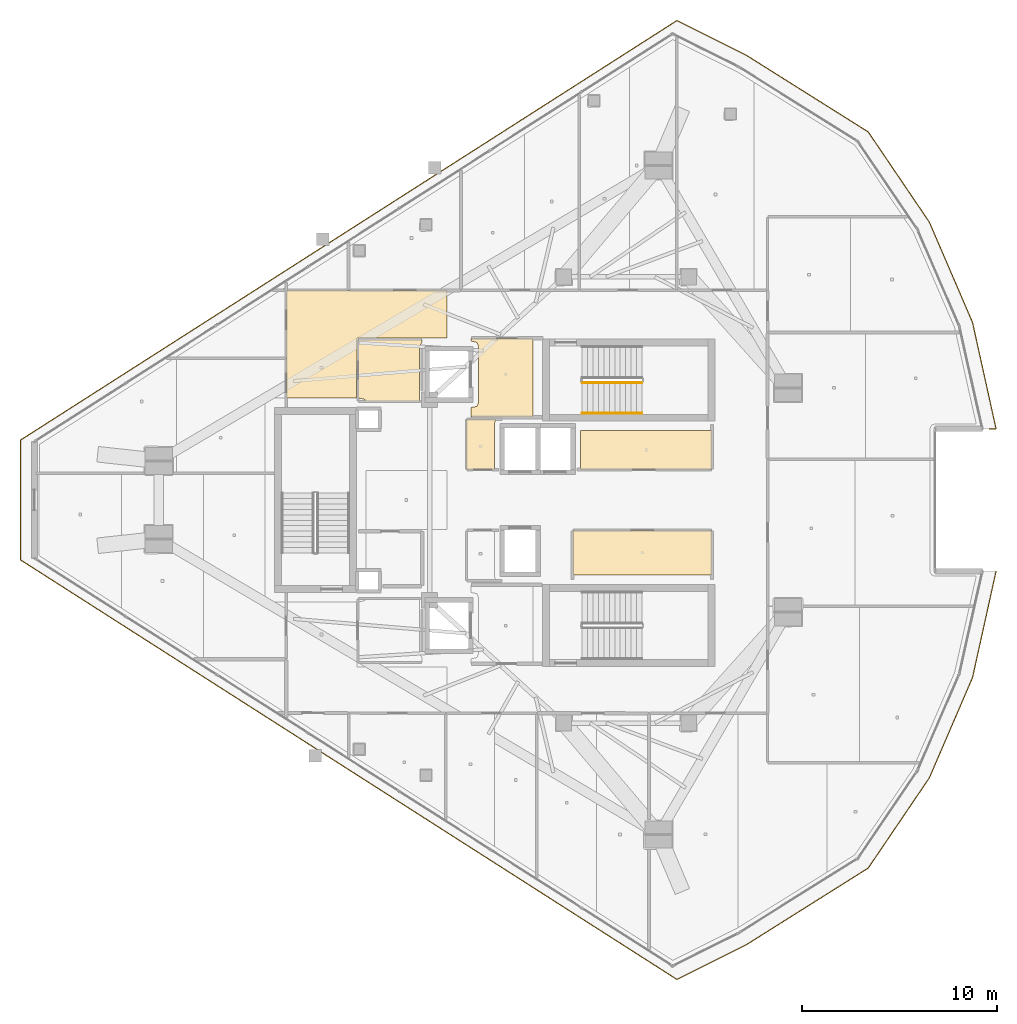
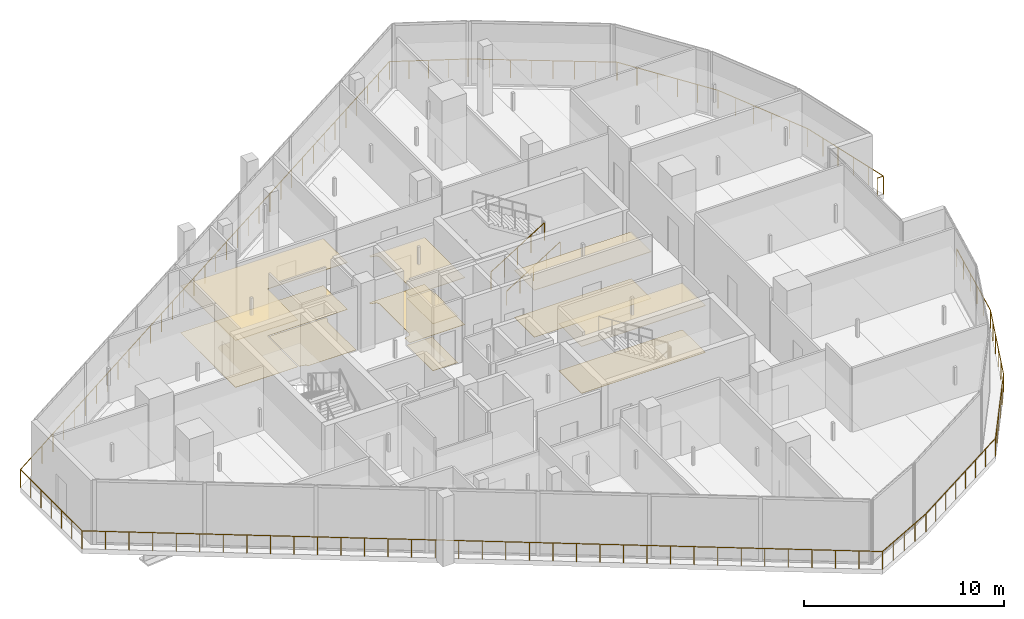
# One storey, part 27 of 29: 11 coverings, 3 railings.
"""IFC4 building model written with IfcOpenShell, lengths in metres."""

import ifcopenshell
import ifcopenshell.guid

model = None  # the IFC model being written
_history = None  # IfcOwnerHistory: only IFC2X3 demands one
_inside = {}  # id of a spatial element -> (the spatial element, [elements in it])
_under = {}  # id of a project, library or spatial element -> (it, [spatial elements below it])
_declared = {}  # id of a project -> (the project, [libraries it declares])
_typed = {}  # id of a type object -> (the type object, [elements of that type])
_made_of = {}  # id of a material, layer set ... -> (it, [elements and type objects made of it])


def new_model(schema):
    """Start an empty IFC model of exactly this schema.

    Asked for "IFC4X3", IfcOpenShell would pick the latest addendum, in which some entities
    have other attributes; the version numbers below select the first issue.
    IFC2X3 requires an IfcOwnerHistory on every rooted entity: one is made here for all.
    """
    global model, _history
    if schema == "IFC4X3":
        model = ifcopenshell.file(schema_version=(4, 3, 0, 0))
    else:
        model = ifcopenshell.file(schema=schema)
    _inside.clear()
    _under.clear()
    _declared.clear()
    _typed.clear()
    _made_of.clear()
    _history = None
    if model.schema == "IFC2X3":
        org = make("IfcOrganization", Name="unknown")
        user = make(
            "IfcPersonAndOrganization",
            ThePerson=make("IfcPerson", FamilyName="unknown"),
            TheOrganization=org,
        )
        app = make(
            "IfcApplication",
            ApplicationDeveloper=org,
            Version="unknown",
            ApplicationFullName="unknown",
            ApplicationIdentifier="unknown",
        )
        _history = make(
            "IfcOwnerHistory",
            OwningUser=user,
            OwningApplication=app,
            ChangeAction="ADDED",
            CreationDate=0,
        )
    return model


def make(cls, **values):
    """One entity of the class cls with the attributes given. An attribute that is None is left unset."""
    return model.create_entity(
        cls, **{name: value for name, value in values.items() if value is not None}
    )


def rooted(cls, **values):
    """An entity with a GlobalId (a new one), such as an element, a storey or a relation."""
    return make(cls, GlobalId=ifcopenshell.guid.new(), OwnerHistory=_history, **values)


def si_unit(unit_type, name, prefix=None):
    """IfcSIUnit, for example si_unit("LENGTHUNIT", "METRE", prefix="MILLI")."""
    return make("IfcSIUnit", UnitType=unit_type, Prefix=prefix, Name=name)


def assignment(units):
    """IfcUnitAssignment: the units of a project."""
    return None if units is None else make("IfcUnitAssignment", Units=units)


def point(xyz):
    """IfcCartesianPoint."""
    return None if xyz is None else make("IfcCartesianPoint", Coordinates=xyz)


def direction(xyz):
    """IfcDirection."""
    return None if xyz is None else make("IfcDirection", DirectionRatios=xyz)


def frame(location, z_axis=None, x_axis=None):
    """IfcAxis2Placement3D, a coordinate frame: its origin and axes. An axis left out is left unset."""
    return make(
        "IfcAxis2Placement3D",
        Location=point(location),
        Axis=direction(z_axis),
        RefDirection=direction(x_axis),
    )


def frame_2d(location, x_axis=None):
    """IfcAxis2Placement2D, a coordinate frame in the plane: its origin and x axis."""
    return make(
        "IfcAxis2Placement2D", Location=point(location), RefDirection=direction(x_axis)
    )


def origin():
    """The frame at (0, 0, 0) with its axes left unset."""
    return frame((0.0, 0.0, 0.0))


def origin_2d():
    """The frame at (0, 0) in the plane with its x axis left unset."""
    return frame_2d((0.0, 0.0))


def place(relative_to, where):
    """IfcLocalPlacement: puts the frame where relative to a parent placement (None: the world)."""
    return make(
        "IfcLocalPlacement", PlacementRelTo=relative_to, RelativePlacement=where
    )


def context(
    kind, dimensions, precision=None, world=None, true_north=None, identifier=None
):
    """IfcGeometricRepresentationContext, for example the 3D "Model" context."""
    return make(
        "IfcGeometricRepresentationContext",
        ContextIdentifier=identifier,
        ContextType=kind,
        CoordinateSpaceDimension=dimensions,
        Precision=precision,
        WorldCoordinateSystem=world,
        TrueNorth=true_north,
    )


def subcontext(parent, identifier, kind, view, scale=None):
    """IfcGeometricRepresentationSubContext, for example "Body" below "Model"."""
    return make(
        "IfcGeometricRepresentationSubContext",
        ContextIdentifier=identifier,
        ContextType=kind,
        ParentContext=parent,
        TargetScale=scale,
        TargetView=view,
    )


def project(units=None, contexts=None):
    """IfcProject with its units and contexts."""
    return rooted(
        "IfcProject",
        Name="project",
        RepresentationContexts=contexts,
        UnitsInContext=assignment(units),
    )


def spatial(cls, under=None, at=None, **own):
    """A site, building, storey or space (cls), placed at a placement, below another one or the project."""
    s = rooted(cls, ObjectPlacement=at, **own)
    if under is not None:
        _under.setdefault(under.id(), (under, []))[1].append(s)
    return s


def polyline(points):
    """IfcPolyline through the points."""
    return make("IfcPolyline", Points=[point(p) for p in points])


def profile(cls, at=None, kind="AREA", **sizes):
    """A parametric profile (cls). Its sizes go by their IFC names, for example OverallWidth=200.0."""
    return make(cls, ProfileType=kind, Position=at, **sizes)


def circle(**sizes):
    """IfcCircleProfileDef."""
    return profile("IfcCircleProfileDef", **sizes)


def outline(outer, holes=None, kind="AREA"):
    """IfcArbitraryClosedProfileDef: a profile drawn as a closed curve; with holes, ...WithVoids."""
    if holes is None:
        return make("IfcArbitraryClosedProfileDef", ProfileType=kind, OuterCurve=outer)
    return make(
        "IfcArbitraryProfileDefWithVoids",
        ProfileType=kind,
        OuterCurve=outer,
        InnerCurves=holes,
    )


def extrude(swept, where, along, depth):
    """IfcExtrudedAreaSolid: the profile swept, set in the frame where, extruded along a direction by depth."""
    return make(
        "IfcExtrudedAreaSolid",
        SweptArea=swept,
        Position=where,
        ExtrudedDirection=direction(along),
        Depth=depth,
    )


def shape(context_of_items, identifier, shape_type, items):
    """IfcShapeRepresentation: the items that make up one representation, for example the "Body"."""
    return make(
        "IfcShapeRepresentation",
        ContextOfItems=context_of_items,
        RepresentationIdentifier=identifier,
        RepresentationType=shape_type,
        Items=items,
    )


def material(Name=None, Category=None):
    """IfcMaterial."""
    return make("IfcMaterial", Name=Name, Category=Category)


def layer(
    of_material, thickness, ventilated=None, Name=None, Category=None, Priority=None
):
    """IfcMaterialLayer: one layer of a wall or slab, of a material (None: an air gap)."""
    return make(
        "IfcMaterialLayer",
        Material=of_material,
        LayerThickness=thickness,
        IsVentilated=ventilated,
        Name=Name,
        Category=Category,
        Priority=Priority,
    )


def layer_set(layers, Name=None):
    """IfcMaterialLayerSet."""
    return make("IfcMaterialLayerSet", MaterialLayers=layers, LayerSetName=Name)


def made_of(thing, what):
    """Note that an element or type object is made of a material, layer set ...; save() writes the relation."""
    if what is not None:
        _made_of.setdefault(what.id(), (what, []))[1].append(thing)
    return thing


def type_object(cls, material=None, **own):
    """A type object (cls), such as IfcWallType, which elements share."""
    return made_of(rooted(cls, **own), material)


def element(
    cls,
    number,
    at=None,
    inside=None,
    cuts=None,
    type_object=None,
    material=None,
    context=None,
    identifier="Body",
    shape_type=None,
    held_by="IfcProductDefinitionShape",
    body=None,
    shapes=None,
    **own,
):
    """One element of the class cls, such as IfcWall. Its Tag is "e" and its number.

    at: its placement. inside: the storey or other place that contains it. cuts: it is an
    opening in that element (IfcRelVoidsElement). A single representation is given by context,
    identifier, shape_type and body (its items); several are given by shapes. held_by: the class
    of the entity that holds the representations. save() writes the other relations.
    """
    e = rooted(cls, Tag="e%d" % number, ObjectPlacement=at, **own)
    if body is not None:
        shapes = [shape(context, identifier, shape_type, body)]
    if shapes is not None:
        e.Representation = make(held_by, Representations=shapes)
    if inside is not None:
        _inside.setdefault(inside.id(), (inside, []))[1].append(e)
    if cuts is not None:
        rooted(
            "IfcRelVoidsElement", RelatingBuildingElement=cuts, RelatedOpeningElement=e
        )
    if type_object is not None:
        _typed.setdefault(type_object.id(), (type_object, []))[1].append(e)
    return made_of(e, material)


def aggregate(whole, parts):
    """IfcRelAggregates: a whole, such as a stair, and the parts it consists of."""
    return rooted("IfcRelAggregates", RelatingObject=whole, RelatedObjects=parts)


def save(model, path):
    """Write the relations noted so far, then the file.

    IfcRelAggregates (storeys below a building ...), IfcRelContainedInSpatialStructure (elements
    in a storey), IfcRelDefinesByType, IfcRelAssociatesMaterial and IfcRelDeclares: one each for
    every whole, place, type object, material and project.
    """
    for whole, parts in _under.values():
        aggregate(whole, parts)
    for where, things in _inside.values():
        rooted(
            "IfcRelContainedInSpatialStructure",
            RelatedElements=things,
            RelatingStructure=where,
        )
    for kind, things in _typed.values():
        rooted("IfcRelDefinesByType", RelatedObjects=things, RelatingType=kind)
    for what, things in _made_of.values():
        rooted("IfcRelAssociatesMaterial", RelatedObjects=things, RelatingMaterial=what)
    for by, libraries in _declared.values():
        rooted("IfcRelDeclares", RelatingContext=by, RelatedDefinitions=libraries)
    model.write(path)


model = new_model("IFC4")

# Units and contexts
model_context = context("Model", 3, precision=1e-05, world=origin(), true_north=direction((0.0, 1.0)))
body_context = subcontext(model_context, "Body", "Model", "MODEL_VIEW")
ifc_project = project(units=[si_unit("LENGTHUNIT", "METRE"), si_unit("AREAUNIT", "SQUARE_METRE"), si_unit("VOLUMEUNIT", "CUBIC_METRE"), si_unit("PLANEANGLEUNIT", "RADIAN"), si_unit("MASSUNIT", "GRAM", prefix="KILO")], contexts=[model_context])

# Site, building, storey
site_placement = place(None, origin())
site = spatial("IfcSite", under=ifc_project, at=site_placement, CompositionType="ELEMENT")
building_placement = place(site_placement, origin())
building = spatial("IfcBuilding", under=site, at=building_placement, Name="Qorvath Tower", CompositionType="ELEMENT")
storey_placement = place(building_placement, frame((0.0, 0.0, 285.0)))
storey = spatial("IfcBuildingStorey", under=building, at=storey_placement, Name="L66", CompositionType="ELEMENT", Elevation=285.0)

# Coverings
ifc_material_1 = material(Name="Acoustic mineral fibre ceiling tile", Category="gypsum")
ifc_layer_1 = layer(ifc_material_1, 0.030029296875)
ifc_layer_set_1 = layer_set([ifc_layer_1], Name="COV-CEIL")
covering_type_1 = type_object("IfcCoveringType", Name="COV-CEIL", PredefinedType="CEILING", material=ifc_layer_set_1)
covering_1_placement = place(storey_placement, frame((0.0, 0.0, 2.85009765625)))
element("IfcCovering", 1, at=covering_1_placement, inside=storey, type_object=covering_type_1, Name="L66 Suspended Acoustic Ceiling 001", PredefinedType="CEILING", context=body_context, shape_type="SweptSolid", body=[
    extrude(outline(polyline([(-25.18994140625, 4.2548828125), (-25.18994140625, 8.294921875), (-28.375, 8.294921875), (-28.375, 8.159912109375), (-28.063232421875, 8.086669921875), (-27.989990234375, 7.909912109375), (-27.989990234375, 4.989990234375), (-28.063232421875, 4.813232421875), (-28.375, 4.739990234375), (-28.375, 4.2548828125), (-25.18994140625, 4.2548828125)])), origin(), (0.0, 0.0, 1.0), 0.030029296875),
])
covering_2_placement = place(storey_placement, frame((0.0, 0.0, 2.85009765625)))
element("IfcCovering", 2, at=covering_2_placement, inside=storey, type_object=covering_type_1, Name="L66 Suspended Acoustic Ceiling 003", PredefinedType="CEILING", context=body_context, shape_type="SweptSolid", body=[
    extrude(outline(polyline([(-16.0048828125, 3.56005859375), (-22.739990234375, 3.56005859375), (-22.739990234375, 1.56494140625), (-16.0048828125, 1.56494140625), (-16.0048828125, 3.56005859375)])), origin(), (0.0, 0.0, 1.0), 0.030029296875),
])
covering_3_placement = place(storey_placement, frame((0.0, 0.0, 2.85009765625)))
element("IfcCovering", 3, at=covering_3_placement, inside=storey, type_object=covering_type_1, Name="L66 Suspended Acoustic Ceiling 004", PredefinedType="CEILING", context=body_context, shape_type="SweptSolid", body=[
    extrude(outline(polyline([(-23.14501953125, -3.85009765625), (-16.0048828125, -3.85009765625), (-16.0048828125, -1.56494140625), (-23.14501953125, -1.56494140625), (-23.14501953125, -3.85009765625)])), origin(), (0.0, 0.0, 1.0), 0.030029296875),
])
covering_4_placement = place(storey_placement, frame((0.0, 0.0, 2.85009765625)))
element("IfcCovering", 4, at=covering_4_placement, inside=storey, type_object=covering_type_1, Name="L66 Suspended Acoustic Ceiling 005", PredefinedType="CEILING", context=body_context, shape_type="SweptSolid", body=[
    extrude(outline(polyline([(-27.159912109375, 1.56494140625), (-27.159912109375, 3.9599609375), (-27.06689453125, 4.14501953125), (-28.594970703125, 4.14501953125), (-28.594970703125, 1.56494140625), (-27.159912109375, 1.56494140625)])), origin(), (0.0, 0.0, 1.0), 0.030029296875),
])
covering_5_placement = place(storey_placement, frame((0.0, 0.0, 2.85009765625)))
element("IfcCovering", 5, at=covering_5_placement, inside=storey, type_object=covering_type_1, Name="L66 Suspended Acoustic Ceiling 011", PredefinedType="CEILING", context=body_context, shape_type="SweptSolid", body=[
    extrude(outline(polyline([(-29.614990234375, 8.324951171875), (-29.614990234375, 10.7451171875), (-37.844970703125, 10.7451171875), (-37.844970703125, 5.239990234375), (-34.2509765625, 5.239990234375), (-34.219970703125, 8.324951171875), (-29.614990234375, 8.324951171875)])), origin(), (0.0, 0.0, 1.0), 0.030029296875),
])
ifc_material_2 = material(Name="Low-VOC modular carpet tile", Category="textile")
ifc_layer_2 = layer(ifc_material_2, 0.014892578125)
ifc_layer_set_2 = layer_set([ifc_layer_2], Name="COV-FLOOR-CPT")
covering_type_2 = type_object("IfcCoveringType", Name="COV-FLOOR-CPT", PredefinedType="FLOORING", material=ifc_layer_set_2)
covering_6_placement = place(storey_placement, origin())
element("IfcCovering", 6, at=covering_6_placement, inside=storey, type_object=covering_type_2, Name="L66 Floor Finish 003", PredefinedType="FLOORING", context=body_context, shape_type="SweptSolid", body=[
    extrude(outline(polyline([(-16.0048828125, 3.56005859375), (-22.739990234375, 3.56005859375), (-22.739990234375, 1.56494140625), (-16.0048828125, 1.56494140625), (-16.0048828125, 3.56005859375)])), origin(), (0.0, 0.0, 1.0), 0.014892578125),
])
covering_7_placement = place(storey_placement, origin())
element("IfcCovering", 7, at=covering_7_placement, inside=storey, type_object=covering_type_2, Name="L66 Floor Finish 004", PredefinedType="FLOORING", context=body_context, shape_type="SweptSolid", body=[
    extrude(outline(polyline([(-23.14501953125, -3.85009765625), (-16.0048828125, -3.85009765625), (-16.0048828125, -1.56494140625), (-23.14501953125, -1.56494140625), (-23.14501953125, -3.85009765625)])), origin(), (0.0, 0.0, 1.0), 0.014892578125),
])
covering_8_placement = place(storey_placement, origin())
element("IfcCovering", 8, at=covering_8_placement, inside=storey, type_object=covering_type_2, Name="L66 Floor Finish 005", PredefinedType="FLOORING", context=body_context, shape_type="SweptSolid", body=[
    extrude(outline(polyline([(-27.159912109375, 1.56494140625), (-27.159912109375, 3.9599609375), (-27.06689453125, 4.14501953125), (-28.594970703125, 4.14501953125), (-28.594970703125, 1.56494140625), (-27.159912109375, 1.56494140625)])), origin(), (0.0, 0.0, 1.0), 0.014892578125),
])
ifc_material_3 = material(Name="Polished epoxy terrazzo flooring", Category="concrete")
ifc_layer_3 = layer(ifc_material_3, 0.02001953125)
ifc_layer_set_3 = layer_set([ifc_layer_3], Name="COV-FLOOR-TRZ")
covering_type_3 = type_object("IfcCoveringType", Name="COV-FLOOR-TRZ", PredefinedType="FLOORING", material=ifc_layer_set_3)
covering_9_placement = place(storey_placement, origin())
element("IfcCovering", 9, at=covering_9_placement, inside=storey, type_object=covering_type_3, Name="L66 Floor Finish 001", PredefinedType="FLOORING", context=body_context, shape_type="SweptSolid", body=[
    extrude(outline(polyline([(-25.18994140625, 4.2548828125), (-25.18994140625, 8.294921875), (-28.375, 8.294921875), (-28.375, 8.159912109375), (-28.063232421875, 8.086669921875), (-27.989990234375, 7.909912109375), (-27.989990234375, 4.989990234375), (-28.063232421875, 4.813232421875), (-28.375, 4.739990234375), (-28.375, 4.2548828125), (-25.18994140625, 4.2548828125)])), origin(), (0.0, 0.0, 1.0), 0.014892578125),
])
covering_10_placement = place(storey_placement, origin())
element("IfcCovering", 10, at=covering_10_placement, inside=storey, type_object=covering_type_3, Name="L66 Floor Finish 007", PredefinedType="FLOORING", context=body_context, shape_type="SweptSolid", body=[
    extrude(outline(polyline([(-31.010009765625, 5.054931640625), (-31.010009765625, 7.909912109375), (-30.885009765625, 8.108154296875), (-30.885009765625, 8.2451171875), (-34.175048828125, 8.2451171875), (-34.175048828125, 5.239990234375), (-33.833251953125, 5.166748046875), (-33.786865234375, 5.054931640625), (-31.010009765625, 5.054931640625)])), origin(), (0.0, 0.0, 1.0), 0.014892578125),
])
covering_11_placement = place(storey_placement, origin())
element("IfcCovering", 11, at=covering_11_placement, inside=storey, type_object=covering_type_3, Name="L66 Floor Finish 011", PredefinedType="FLOORING", context=body_context, shape_type="SweptSolid", body=[
    extrude(outline(polyline([(-29.614990234375, 8.324951171875), (-29.614990234375, 10.7451171875), (-37.844970703125, 10.7451171875), (-37.844970703125, 5.239990234375), (-34.2509765625, 5.239990234375), (-34.219970703125, 8.324951171875), (-29.614990234375, 8.324951171875)])), origin(), (0.0, 0.0, 1.0), 0.014892578125),
])

# Railings
ifc_material_4 = material(Name="Laminated safety glass and stainless steel AISI 316", Category="steel")
railing_type_1 = type_object("IfcRailingType", Name="RL-EXT-GRD", PredefinedType="GUARDRAIL", material=ifc_material_4)
railing_1_placement = place(storey_placement, frame((-1.410888671875, -3.65576171875, 0.0)))
element("IfcRailing", 12, at=railing_1_placement, inside=storey, type_object=railing_type_1, Name="Loggia Perimeter Guardrail L66-1.1", PredefinedType="GUARDRAIL", context=body_context, shape_type="SweptSolid", body=[
    extrude(circle(Radius=0.02392578125, at=origin_2d()), frame((0.0, 0.0, 1.09619140625), z_axis=(-0.2160945783, -0.976372435718, 0.0), x_axis=(0.976372435718, -0.2160945783, 0.0)), (0.0, 0.0, 1.0), 5.59814453125),
    extrude(circle(Radius=0.02392578125, at=origin_2d()), frame((-1.209716796875, -5.4658203125, 1.09619140625), z_axis=(-0.395497694519, -0.918466969265, 0.0), x_axis=(0.918466969265, -0.395497694519, 0.0)), (0.0, 0.0, 1.0), 5.598388671875),
    extrude(circle(Radius=0.02392578125, at=origin_2d()), frame((-3.423828125, -10.607666015625, 1.09619140625), z_axis=(-0.560794143452, -0.827955269728, 0.0), x_axis=(0.827955269728, -0.560794143452, 0.0)), (0.0, 0.0, 1.0), 5.59814453125),
    extrude(circle(Radius=0.02392578125, at=origin_2d()), frame((-6.563232421875, -15.24267578125, 1.09619140625), z_axis=(-0.846498894117, -0.532390479122, 0.0), x_axis=(0.532390479122, -0.846498894117, 0.0)), (0.0, 0.0, 1.0), 7.444580078125),
    extrude(circle(Radius=0.02392578125, at=origin_2d()), frame((-12.864990234375, -19.2060546875, 1.09619140625), z_axis=(-0.894414774264, -0.447238428111, 0.0), x_axis=(0.447238428111, -0.894414774264, 0.0)), (0.0, 0.0, 1.0), 3.9326171875),
    extrude(circle(Radius=0.02392578125, at=origin_2d()), frame((-16.38232421875, -20.96484375, 1.09619140625), z_axis=(-0.842602871748, 0.538535421789, 0.0), x_axis=(-0.538535421789, -0.842602871748, 0.0)), (0.0, 0.0, 1.0), 40.0029296875),
    extrude(circle(Radius=0.02392578125, at=origin_2d()), frame((-50.0888671875, 0.578125, 1.09619140625), z_axis=(0.0, 1.0, 0.0), x_axis=(-1.0, 0.0, 0.0)), (0.0, 0.0, 1.0), 6.1552734375),
    extrude(circle(Radius=0.02392578125, at=origin_2d()), frame((-50.0888671875, 6.7333984375, 1.09619140625), z_axis=(0.842602871748, 0.538535421789, 0.0), x_axis=(-0.538535421789, 0.842602871748, 0.0)), (0.0, 0.0, 1.0), 40.0029296875),
    extrude(circle(Radius=0.02392578125, at=origin_2d()), frame((-16.38232421875, 28.2763671875, 1.09619140625), z_axis=(0.894414774264, -0.447238428111, 0.0), x_axis=(0.447238428111, 0.894414774264, 0.0)), (0.0, 0.0, 1.0), 3.9326171875),
    extrude(circle(Radius=0.02392578125, at=origin_2d()), frame((-12.864990234375, 26.517578125, 1.09619140625), z_axis=(0.846498894117, -0.532390479122, 0.0), x_axis=(0.532390479122, 0.846498894117, 0.0)), (0.0, 0.0, 1.0), 7.444580078125),
    extrude(circle(Radius=0.02392578125, at=origin_2d()), frame((-6.563232421875, 22.55419921875, 1.09619140625), z_axis=(0.560794143452, -0.827955269728, 0.0), x_axis=(0.827955269728, 0.560794143452, 0.0)), (0.0, 0.0, 1.0), 5.59814453125),
    extrude(circle(Radius=0.02392578125, at=origin_2d()), frame((-3.423828125, 17.919189453125, 1.09619140625), z_axis=(0.395497694519, -0.918466969265, 0.0), x_axis=(0.918466969265, 0.395497694519, 0.0)), (0.0, 0.0, 1.0), 5.598388671875),
    extrude(circle(Radius=0.02392578125, at=origin_2d()), frame((-1.209716796875, 12.77734375, 1.09619140625), z_axis=(0.2160945783, -0.976372435718, 0.0), x_axis=(0.976372435718, 0.2160945783, 0.0)), (0.0, 0.0, 1.0), 5.59814453125),
    extrude(circle(Radius=0.02392578125, at=origin_2d()), frame((0.0, 7.3115234375, 1.09619140625), z_axis=(-1.0, 0.0, 0.0), x_axis=(0.0, -1.0, 0.0)), (0.0, 0.0, 1.0), 0.35400390625),
    extrude(circle(Radius=0.02099609375, at=origin_2d()), origin(), (0.0, 0.0, 1.0), 1.072021484375),
    extrude(circle(Radius=0.02099609375, at=origin_2d()), frame((-0.241943359375, -1.09326171875, 0.0)), (0.0, 0.0, 1.0), 1.072021484375),
    extrude(circle(Radius=0.02099609375, at=origin_2d()), frame((-0.48388671875, -2.186279296875, 0.0)), (0.0, 0.0, 1.0), 1.072021484375),
    extrude(circle(Radius=0.02099609375, at=origin_2d()), frame((-0.725830078125, -3.279541015625, 0.0)), (0.0, 0.0, 1.0), 1.072021484375),
    extrude(circle(Radius=0.02099609375, at=origin_2d()), frame((-0.9677734375, -4.37255859375, 0.0)), (0.0, 0.0, 1.0), 1.072021484375),
    extrude(circle(Radius=0.02099609375, at=origin_2d()), frame((-1.209716796875, -5.4658203125, 0.0)), (0.0, 0.0, 1.0), 1.072021484375),
    extrude(circle(Radius=0.02099609375, at=origin_2d()), frame((-1.652587890625, -6.494140625, 0.0)), (0.0, 0.0, 1.0), 1.072021484375),
    extrude(circle(Radius=0.02099609375, at=origin_2d()), frame((-2.095458984375, -7.5224609375, 0.0)), (0.0, 0.0, 1.0), 1.072021484375),
    extrude(circle(Radius=0.02099609375, at=origin_2d()), frame((-2.5380859375, -8.551025390625, 0.0)), (0.0, 0.0, 1.0), 1.072021484375),
    extrude(circle(Radius=0.02099609375, at=origin_2d()), frame((-2.98095703125, -9.579345703125, 0.0)), (0.0, 0.0, 1.0), 1.072021484375),
    extrude(circle(Radius=0.02099609375, at=origin_2d()), frame((-3.423828125, -10.607666015625, 0.0)), (0.0, 0.0, 1.0), 1.072021484375),
    extrude(circle(Radius=0.02099609375, at=origin_2d()), frame((-4.0517578125, -11.53466796875, 0.0)), (0.0, 0.0, 1.0), 1.072021484375),
    extrude(circle(Radius=0.02099609375, at=origin_2d()), frame((-4.6796875, -12.461669921875, 0.0)), (0.0, 0.0, 1.0), 1.072021484375),
    extrude(circle(Radius=0.02099609375, at=origin_2d()), frame((-5.307373046875, -13.388671875, 0.0)), (0.0, 0.0, 1.0), 1.072021484375),
    extrude(circle(Radius=0.02099609375, at=origin_2d()), frame((-5.935302734375, -14.315673828125, 0.0)), (0.0, 0.0, 1.0), 1.072021484375),
    extrude(circle(Radius=0.02099609375, at=origin_2d()), frame((-6.563232421875, -15.24267578125, 0.0)), (0.0, 0.0, 1.0), 1.072021484375),
    extrude(circle(Radius=0.02099609375, at=origin_2d()), frame((-7.46337890625, -15.808837890625, 0.0)), (0.0, 0.0, 1.0), 1.072021484375),
    extrude(circle(Radius=0.02099609375, at=origin_2d()), frame((-8.36376953125, -16.375, 0.0)), (0.0, 0.0, 1.0), 1.072021484375),
    extrude(circle(Radius=0.02099609375, at=origin_2d()), frame((-9.263916015625, -16.941162109375, 0.0)), (0.0, 0.0, 1.0), 1.072021484375),
    extrude(circle(Radius=0.02099609375, at=origin_2d()), frame((-10.164306640625, -17.507568359375, 0.0)), (0.0, 0.0, 1.0), 1.072021484375),
    extrude(circle(Radius=0.02099609375, at=origin_2d()), frame((-11.064453125, -18.07373046875, 0.0)), (0.0, 0.0, 1.0), 1.072021484375),
    extrude(circle(Radius=0.02099609375, at=origin_2d()), frame((-11.96484375, -18.639892578125, 0.0)), (0.0, 0.0, 1.0), 1.072021484375),
    extrude(circle(Radius=0.02099609375, at=origin_2d()), frame((-12.864990234375, -19.2060546875, 0.0)), (0.0, 0.0, 1.0), 1.072021484375),
    extrude(circle(Radius=0.02099609375, at=origin_2d()), frame((-13.744384765625, -19.645751953125, 0.0)), (0.0, 0.0, 1.0), 1.072021484375),
    extrude(circle(Radius=0.02099609375, at=origin_2d()), frame((-14.62353515625, -20.08544921875, 0.0)), (0.0, 0.0, 1.0), 1.072021484375),
    extrude(circle(Radius=0.02099609375, at=origin_2d()), frame((-15.5029296875, -20.525146484375, 0.0)), (0.0, 0.0, 1.0), 1.072021484375),
    extrude(circle(Radius=0.02099609375, at=origin_2d()), frame((-16.38232421875, -20.96484375, 0.0)), (0.0, 0.0, 1.0), 1.072021484375),
    extrude(circle(Radius=0.02099609375, at=origin_2d()), frame((-17.373779296875, -20.331298828125, 0.0)), (0.0, 0.0, 1.0), 1.072021484375),
    extrude(circle(Radius=0.02099609375, at=origin_2d()), frame((-18.364990234375, -19.697509765625, 0.0)), (0.0, 0.0, 1.0), 1.072021484375),
    extrude(circle(Radius=0.02099609375, at=origin_2d()), frame((-19.3564453125, -19.06396484375, 0.0)), (0.0, 0.0, 1.0), 1.072021484375),
    extrude(circle(Radius=0.02099609375, at=origin_2d()), frame((-20.347900390625, -18.430419921875, 0.0)), (0.0, 0.0, 1.0), 1.072021484375),
    extrude(circle(Radius=0.02099609375, at=origin_2d()), frame((-21.339111328125, -17.796875, 0.0)), (0.0, 0.0, 1.0), 1.072021484375),
    extrude(circle(Radius=0.02099609375, at=origin_2d()), frame((-22.33056640625, -17.1630859375, 0.0)), (0.0, 0.0, 1.0), 1.072021484375),
    extrude(circle(Radius=0.02099609375, at=origin_2d()), frame((-23.322021484375, -16.529541015625, 0.0)), (0.0, 0.0, 1.0), 1.072021484375),
    extrude(circle(Radius=0.02099609375, at=origin_2d()), frame((-24.313232421875, -15.89599609375, 0.0)), (0.0, 0.0, 1.0), 1.072021484375),
    extrude(circle(Radius=0.02099609375, at=origin_2d()), frame((-25.3046875, -15.26220703125, 0.0)), (0.0, 0.0, 1.0), 1.072021484375),
    extrude(circle(Radius=0.02099609375, at=origin_2d()), frame((-26.2958984375, -14.628662109375, 0.0)), (0.0, 0.0, 1.0), 1.072021484375),
    extrude(circle(Radius=0.02099609375, at=origin_2d()), frame((-27.287353515625, -13.9951171875, 0.0)), (0.0, 0.0, 1.0), 1.072021484375),
    extrude(circle(Radius=0.02099609375, at=origin_2d()), frame((-28.27880859375, -13.361328125, 0.0)), (0.0, 0.0, 1.0), 1.072021484375),
    extrude(circle(Radius=0.02099609375, at=origin_2d()), frame((-29.27001953125, -12.727783203125, 0.0)), (0.0, 0.0, 1.0), 1.072021484375),
    extrude(circle(Radius=0.02099609375, at=origin_2d()), frame((-30.261474609375, -12.09423828125, 0.0)), (0.0, 0.0, 1.0), 1.072021484375),
    extrude(circle(Radius=0.02099609375, at=origin_2d()), frame((-31.2529296875, -11.460693359375, 0.0)), (0.0, 0.0, 1.0), 1.072021484375),
    extrude(circle(Radius=0.02099609375, at=origin_2d()), frame((-32.244140625, -10.826904296875, 0.0)), (0.0, 0.0, 1.0), 1.072021484375),
    extrude(circle(Radius=0.02099609375, at=origin_2d()), frame((-33.235595703125, -10.193359375, 0.0)), (0.0, 0.0, 1.0), 1.072021484375),
    extrude(circle(Radius=0.02099609375, at=origin_2d()), frame((-34.22705078125, -9.559814453125, 0.0)), (0.0, 0.0, 1.0), 1.072021484375),
    extrude(circle(Radius=0.02099609375, at=origin_2d()), frame((-35.21826171875, -8.926025390625, 0.0)), (0.0, 0.0, 1.0), 1.072021484375),
    extrude(circle(Radius=0.02099609375, at=origin_2d()), frame((-36.209716796875, -8.29248046875, 0.0)), (0.0, 0.0, 1.0), 1.072021484375),
    extrude(circle(Radius=0.02099609375, at=origin_2d()), frame((-37.201171875, -7.658935546875, 0.0)), (0.0, 0.0, 1.0), 1.072021484375),
    extrude(circle(Radius=0.02099609375, at=origin_2d()), frame((-38.1923828125, -7.025390625, 0.0)), (0.0, 0.0, 1.0), 1.072021484375),
    extrude(circle(Radius=0.02099609375, at=origin_2d()), frame((-39.183837890625, -6.3916015625, 0.0)), (0.0, 0.0, 1.0), 1.072021484375),
    extrude(circle(Radius=0.02099609375, at=origin_2d()), frame((-40.17529296875, -5.758056640625, 0.0)), (0.0, 0.0, 1.0), 1.072021484375),
    extrude(circle(Radius=0.02099609375, at=origin_2d()), frame((-41.16650390625, -5.12451171875, 0.0)), (0.0, 0.0, 1.0), 1.072021484375),
    extrude(circle(Radius=0.02099609375, at=origin_2d()), frame((-42.157958984375, -4.49072265625, 0.0)), (0.0, 0.0, 1.0), 1.072021484375),
    extrude(circle(Radius=0.02099609375, at=origin_2d()), frame((-43.149169921875, -3.857177734375, 0.0)), (0.0, 0.0, 1.0), 1.072021484375),
    extrude(circle(Radius=0.02099609375, at=origin_2d()), frame((-44.140625, -3.2236328125, 0.0)), (0.0, 0.0, 1.0), 1.072021484375),
    extrude(circle(Radius=0.02099609375, at=origin_2d()), frame((-45.132080078125, -2.58984375, 0.0)), (0.0, 0.0, 1.0), 1.072021484375),
    extrude(circle(Radius=0.02099609375, at=origin_2d()), frame((-46.123291015625, -1.956298828125, 0.0)), (0.0, 0.0, 1.0), 1.072021484375),
    extrude(circle(Radius=0.02099609375, at=origin_2d()), frame((-47.11474609375, -1.32275390625, 0.0)), (0.0, 0.0, 1.0), 1.072021484375),
    extrude(circle(Radius=0.02099609375, at=origin_2d()), frame((-48.106201171875, -0.689208984375, 0.0)), (0.0, 0.0, 1.0), 1.072021484375),
    extrude(circle(Radius=0.02099609375, at=origin_2d()), frame((-49.097412109375, -0.055419921875, 0.0)), (0.0, 0.0, 1.0), 1.072021484375),
    extrude(circle(Radius=0.02099609375, at=origin_2d()), frame((-50.0888671875, 0.578125, 0.0)), (0.0, 0.0, 1.0), 1.072021484375),
    extrude(circle(Radius=0.02099609375, at=origin_2d()), frame((-50.0888671875, 1.60400390625, 0.0)), (0.0, 0.0, 1.0), 1.072021484375),
    extrude(circle(Radius=0.02099609375, at=origin_2d()), frame((-50.0888671875, 2.6298828125, 0.0)), (0.0, 0.0, 1.0), 1.072021484375),
    extrude(circle(Radius=0.02099609375, at=origin_2d()), frame((-50.0888671875, 3.65576171875, 0.0)), (0.0, 0.0, 1.0), 1.072021484375),
    extrude(circle(Radius=0.02099609375, at=origin_2d()), frame((-50.0888671875, 4.681640625, 0.0)), (0.0, 0.0, 1.0), 1.072021484375),
    extrude(circle(Radius=0.02099609375, at=origin_2d()), frame((-50.0888671875, 5.70751953125, 0.0)), (0.0, 0.0, 1.0), 1.072021484375),
    extrude(circle(Radius=0.02099609375, at=origin_2d()), frame((-50.0888671875, 6.7333984375, 0.0)), (0.0, 0.0, 1.0), 1.072021484375),
    extrude(circle(Radius=0.02099609375, at=origin_2d()), frame((-49.097412109375, 7.366943359375, 0.0)), (0.0, 0.0, 1.0), 1.072021484375),
    extrude(circle(Radius=0.02099609375, at=origin_2d()), frame((-48.106201171875, 8.000732421875, 0.0)), (0.0, 0.0, 1.0), 1.072021484375),
    extrude(circle(Radius=0.02099609375, at=origin_2d()), frame((-47.11474609375, 8.63427734375, 0.0)), (0.0, 0.0, 1.0), 1.072021484375),
    extrude(circle(Radius=0.02099609375, at=origin_2d()), frame((-46.123291015625, 9.267822265625, 0.0)), (0.0, 0.0, 1.0), 1.072021484375),
    extrude(circle(Radius=0.02099609375, at=origin_2d()), frame((-45.132080078125, 9.9013671875, 0.0)), (0.0, 0.0, 1.0), 1.072021484375),
    extrude(circle(Radius=0.02099609375, at=origin_2d()), frame((-44.140625, 10.53515625, 0.0)), (0.0, 0.0, 1.0), 1.072021484375),
    extrude(circle(Radius=0.02099609375, at=origin_2d()), frame((-43.149169921875, 11.168701171875, 0.0)), (0.0, 0.0, 1.0), 1.072021484375),
    extrude(circle(Radius=0.02099609375, at=origin_2d()), frame((-42.157958984375, 11.80224609375, 0.0)), (0.0, 0.0, 1.0), 1.072021484375),
    extrude(circle(Radius=0.02099609375, at=origin_2d()), frame((-41.16650390625, 12.43603515625, 0.0)), (0.0, 0.0, 1.0), 1.072021484375),
    extrude(circle(Radius=0.02099609375, at=origin_2d()), frame((-40.17529296875, 13.069580078125, 0.0)), (0.0, 0.0, 1.0), 1.072021484375),
    extrude(circle(Radius=0.02099609375, at=origin_2d()), frame((-39.183837890625, 13.703125, 0.0)), (0.0, 0.0, 1.0), 1.072021484375),
    extrude(circle(Radius=0.02099609375, at=origin_2d()), frame((-38.1923828125, 14.3369140625, 0.0)), (0.0, 0.0, 1.0), 1.072021484375),
    extrude(circle(Radius=0.02099609375, at=origin_2d()), frame((-37.201171875, 14.970458984375, 0.0)), (0.0, 0.0, 1.0), 1.072021484375),
    extrude(circle(Radius=0.02099609375, at=origin_2d()), frame((-36.209716796875, 15.60400390625, 0.0)), (0.0, 0.0, 1.0), 1.072021484375),
    extrude(circle(Radius=0.02099609375, at=origin_2d()), frame((-35.21826171875, 16.237548828125, 0.0)), (0.0, 0.0, 1.0), 1.072021484375),
    extrude(circle(Radius=0.02099609375, at=origin_2d()), frame((-34.22705078125, 16.871337890625, 0.0)), (0.0, 0.0, 1.0), 1.072021484375),
    extrude(circle(Radius=0.02099609375, at=origin_2d()), frame((-33.235595703125, 17.5048828125, 0.0)), (0.0, 0.0, 1.0), 1.072021484375),
    extrude(circle(Radius=0.02099609375, at=origin_2d()), frame((-32.244140625, 18.138427734375, 0.0)), (0.0, 0.0, 1.0), 1.072021484375),
    extrude(circle(Radius=0.02099609375, at=origin_2d()), frame((-31.2529296875, 18.772216796875, 0.0)), (0.0, 0.0, 1.0), 1.072021484375),
    extrude(circle(Radius=0.02099609375, at=origin_2d()), frame((-30.261474609375, 19.40576171875, 0.0)), (0.0, 0.0, 1.0), 1.072021484375),
    extrude(circle(Radius=0.02099609375, at=origin_2d()), frame((-29.27001953125, 20.039306640625, 0.0)), (0.0, 0.0, 1.0), 1.072021484375),
    extrude(circle(Radius=0.02099609375, at=origin_2d()), frame((-28.27880859375, 20.6728515625, 0.0)), (0.0, 0.0, 1.0), 1.072021484375),
    extrude(circle(Radius=0.02099609375, at=origin_2d()), frame((-27.287353515625, 21.306640625, 0.0)), (0.0, 0.0, 1.0), 1.072021484375),
    extrude(circle(Radius=0.02099609375, at=origin_2d()), frame((-26.2958984375, 21.940185546875, 0.0)), (0.0, 0.0, 1.0), 1.072021484375),
    extrude(circle(Radius=0.02099609375, at=origin_2d()), frame((-25.3046875, 22.57373046875, 0.0)), (0.0, 0.0, 1.0), 1.072021484375),
    extrude(circle(Radius=0.02099609375, at=origin_2d()), frame((-24.313232421875, 23.20751953125, 0.0)), (0.0, 0.0, 1.0), 1.072021484375),
    extrude(circle(Radius=0.02099609375, at=origin_2d()), frame((-23.322021484375, 23.841064453125, 0.0)), (0.0, 0.0, 1.0), 1.072021484375),
    extrude(circle(Radius=0.02099609375, at=origin_2d()), frame((-22.33056640625, 24.474609375, 0.0)), (0.0, 0.0, 1.0), 1.072021484375),
    extrude(circle(Radius=0.02099609375, at=origin_2d()), frame((-21.339111328125, 25.1083984375, 0.0)), (0.0, 0.0, 1.0), 1.072021484375),
    extrude(circle(Radius=0.02099609375, at=origin_2d()), frame((-20.347900390625, 25.741943359375, 0.0)), (0.0, 0.0, 1.0), 1.072021484375),
    extrude(circle(Radius=0.02099609375, at=origin_2d()), frame((-19.3564453125, 26.37548828125, 0.0)), (0.0, 0.0, 1.0), 1.072021484375),
    extrude(circle(Radius=0.02099609375, at=origin_2d()), frame((-18.364990234375, 27.009033203125, 0.0)), (0.0, 0.0, 1.0), 1.072021484375),
    extrude(circle(Radius=0.02099609375, at=origin_2d()), frame((-17.373779296875, 27.642822265625, 0.0)), (0.0, 0.0, 1.0), 1.072021484375),
    extrude(circle(Radius=0.02099609375, at=origin_2d()), frame((-16.38232421875, 28.2763671875, 0.0)), (0.0, 0.0, 1.0), 1.072021484375),
    extrude(circle(Radius=0.02099609375, at=origin_2d()), frame((-15.5029296875, 27.836669921875, 0.0)), (0.0, 0.0, 1.0), 1.072021484375),
    extrude(circle(Radius=0.02099609375, at=origin_2d()), frame((-14.62353515625, 27.39697265625, 0.0)), (0.0, 0.0, 1.0), 1.072021484375),
    extrude(circle(Radius=0.02099609375, at=origin_2d()), frame((-13.744384765625, 26.957275390625, 0.0)), (0.0, 0.0, 1.0), 1.072021484375),
    extrude(circle(Radius=0.02099609375, at=origin_2d()), frame((-12.864990234375, 26.517578125, 0.0)), (0.0, 0.0, 1.0), 1.072021484375),
    extrude(circle(Radius=0.02099609375, at=origin_2d()), frame((-11.96484375, 25.951416015625, 0.0)), (0.0, 0.0, 1.0), 1.072021484375),
    extrude(circle(Radius=0.02099609375, at=origin_2d()), frame((-11.064453125, 25.38525390625, 0.0)), (0.0, 0.0, 1.0), 1.072021484375),
    extrude(circle(Radius=0.02099609375, at=origin_2d()), frame((-10.164306640625, 24.819091796875, 0.0)), (0.0, 0.0, 1.0), 1.072021484375),
    extrude(circle(Radius=0.02099609375, at=origin_2d()), frame((-9.263916015625, 24.252685546875, 0.0)), (0.0, 0.0, 1.0), 1.072021484375),
    extrude(circle(Radius=0.02099609375, at=origin_2d()), frame((-8.36376953125, 23.6865234375, 0.0)), (0.0, 0.0, 1.0), 1.072021484375),
    extrude(circle(Radius=0.02099609375, at=origin_2d()), frame((-7.46337890625, 23.120361328125, 0.0)), (0.0, 0.0, 1.0), 1.072021484375),
    extrude(circle(Radius=0.02099609375, at=origin_2d()), frame((-6.563232421875, 22.55419921875, 0.0)), (0.0, 0.0, 1.0), 1.072021484375),
    extrude(circle(Radius=0.02099609375, at=origin_2d()), frame((-5.935302734375, 21.627197265625, 0.0)), (0.0, 0.0, 1.0), 1.072021484375),
    extrude(circle(Radius=0.02099609375, at=origin_2d()), frame((-5.307373046875, 20.7001953125, 0.0)), (0.0, 0.0, 1.0), 1.072021484375),
    extrude(circle(Radius=0.02099609375, at=origin_2d()), frame((-4.6796875, 19.773193359375, 0.0)), (0.0, 0.0, 1.0), 1.072021484375),
    extrude(circle(Radius=0.02099609375, at=origin_2d()), frame((-4.0517578125, 18.84619140625, 0.0)), (0.0, 0.0, 1.0), 1.072021484375),
    extrude(circle(Radius=0.02099609375, at=origin_2d()), frame((-3.423828125, 17.919189453125, 0.0)), (0.0, 0.0, 1.0), 1.072021484375),
    extrude(circle(Radius=0.02099609375, at=origin_2d()), frame((-2.98095703125, 16.890869140625, 0.0)), (0.0, 0.0, 1.0), 1.072021484375),
    extrude(circle(Radius=0.02099609375, at=origin_2d()), frame((-2.5380859375, 15.862548828125, 0.0)), (0.0, 0.0, 1.0), 1.072021484375),
    extrude(circle(Radius=0.02099609375, at=origin_2d()), frame((-2.095458984375, 14.833984375, 0.0)), (0.0, 0.0, 1.0), 1.072021484375),
    extrude(circle(Radius=0.02099609375, at=origin_2d()), frame((-1.652587890625, 13.8056640625, 0.0)), (0.0, 0.0, 1.0), 1.072021484375),
    extrude(circle(Radius=0.02099609375, at=origin_2d()), frame((-1.209716796875, 12.77734375, 0.0)), (0.0, 0.0, 1.0), 1.072021484375),
    extrude(circle(Radius=0.02099609375, at=origin_2d()), frame((-0.9677734375, 11.68408203125, 0.0)), (0.0, 0.0, 1.0), 1.072021484375),
    extrude(circle(Radius=0.02099609375, at=origin_2d()), frame((-0.725830078125, 10.591064453125, 0.0)), (0.0, 0.0, 1.0), 1.072021484375),
    extrude(circle(Radius=0.02099609375, at=origin_2d()), frame((-0.48388671875, 9.497802734375, 0.0)), (0.0, 0.0, 1.0), 1.072021484375),
    extrude(circle(Radius=0.02099609375, at=origin_2d()), frame((-0.241943359375, 8.40478515625, 0.0)), (0.0, 0.0, 1.0), 1.072021484375),
    extrude(circle(Radius=0.02099609375, at=origin_2d()), frame((0.0, 7.3115234375, 0.0)), (0.0, 0.0, 1.0), 1.072021484375),
    extrude(circle(Radius=0.02099609375, at=origin_2d()), frame((-0.35400390625, 7.3115234375, 0.0)), (0.0, 0.0, 1.0), 1.072021484375),
])
ifc_material_5 = material(Name="Painted galvanised steel", Category="steel")
railing_type_2 = type_object("IfcRailingType", Name="RL-STR-GRD", PredefinedType="GUARDRAIL", material=ifc_material_5)
railing_2_placement = place(storey_placement, frame((-22.669921875, 6.030029296875, 0.175048828125)))
element("IfcRailing", 13, at=railing_2_placement, inside=storey, type_object=railing_type_2, Name="L66 TS1 stair guard 1", PredefinedType="GUARDRAIL", context=body_context, shape_type="SweptSolid", body=[
    extrude(circle(Radius=0.02392578125, at=origin_2d()), frame((0.0, 0.0, 1.076171875), z_axis=(0.847979421464, 0.0, 0.530029150871), x_axis=(0.0, 1.0, 0.0)), (0.0, 0.0, 1.0), 3.632080078125),
    extrude(circle(Radius=0.02099609375, at=origin_2d()), origin(), (0.0, 0.0, 1.0), 1.052001953125),
    extrude(circle(Radius=0.02099609375, at=origin_2d()), frame((0.77001953125, 0.0, 0.481201171875)), (0.0, 0.0, 1.0), 1.052001953125),
    extrude(circle(Radius=0.02099609375, at=origin_2d()), frame((1.5400390625, 0.0, 0.96240234375)), (0.0, 0.0, 1.0), 1.052001953125),
    extrude(circle(Radius=0.02099609375, at=origin_2d()), frame((2.309814453125, 0.0, 1.44384765625)), (0.0, 0.0, 1.0), 1.052001953125),
    extrude(circle(Radius=0.02099609375, at=origin_2d()), frame((3.079833984375, 0.0, 1.925048828125)), (0.0, 0.0, 1.0), 1.052001953125),
])
ifc_material_6 = material(Name="Brushed stainless steel AISI 304", Category="steel")
railing_type_3 = type_object("IfcRailingType", Name="RL-STR-HND", PredefinedType="HANDRAIL", material=ifc_material_6)
railing_3_placement = place(storey_placement, frame((-22.669921875, 4.449951171875, 0.175048828125)))
element("IfcRailing", 14, at=railing_3_placement, inside=storey, type_object=railing_type_3, Name="L66 TS1 stair handrail 1", PredefinedType="HANDRAIL", context=body_context, shape_type="SweptSolid", body=[
    extrude(circle(Radius=0.02392578125, at=origin_2d()), frame((0.0, 0.0, 0.8759765625), z_axis=(0.847979421464, 0.0, 0.530029150871), x_axis=(0.0, 1.0, 0.0)), (0.0, 0.0, 1.0), 3.632080078125),
    extrude(circle(Radius=0.02099609375, at=origin_2d()), origin(), (0.0, 0.0, 1.0), 0.851806640625),
    extrude(circle(Radius=0.02099609375, at=origin_2d()), frame((0.77001953125, 0.0, 0.481201171875)), (0.0, 0.0, 1.0), 0.851806640625),
    extrude(circle(Radius=0.02099609375, at=origin_2d()), frame((1.5400390625, 0.0, 0.96240234375)), (0.0, 0.0, 1.0), 0.851806640625),
    extrude(circle(Radius=0.02099609375, at=origin_2d()), frame((2.309814453125, 0.0, 1.44384765625)), (0.0, 0.0, 1.0), 0.851806640625),
    extrude(circle(Radius=0.02099609375, at=origin_2d()), frame((3.079833984375, 0.0, 1.925048828125)), (0.0, 0.0, 1.0), 0.851806640625),
])

save(model, "model.ifc")
